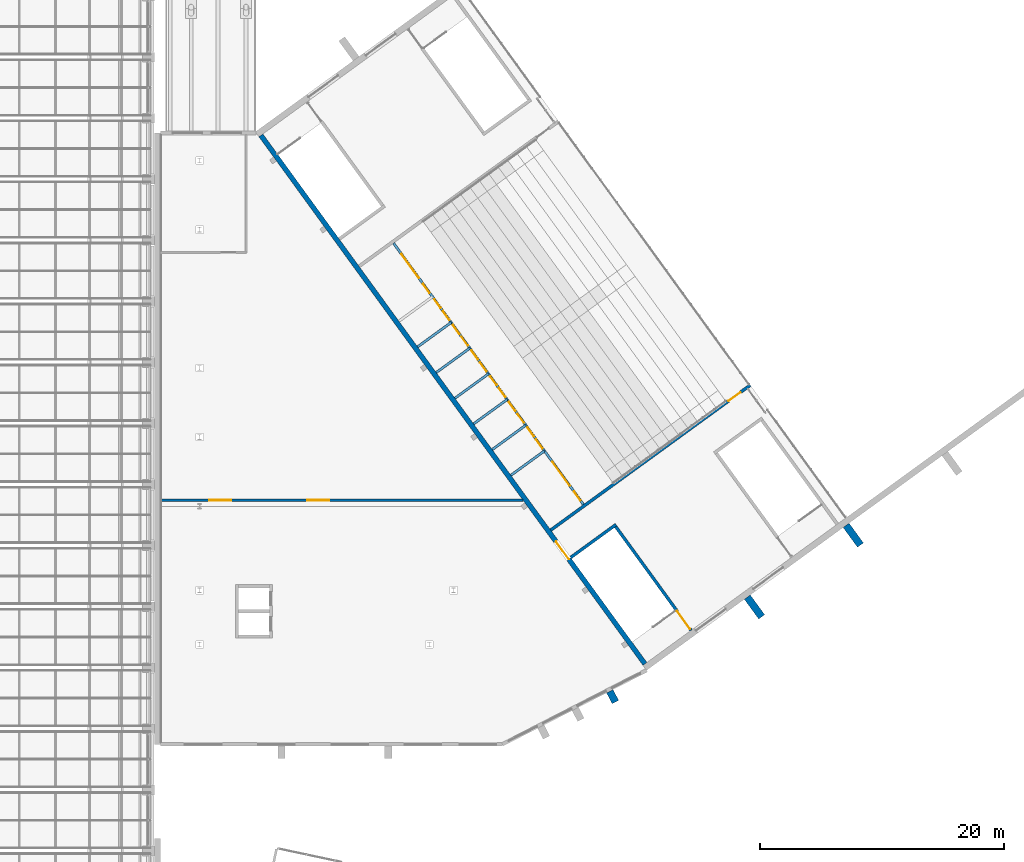
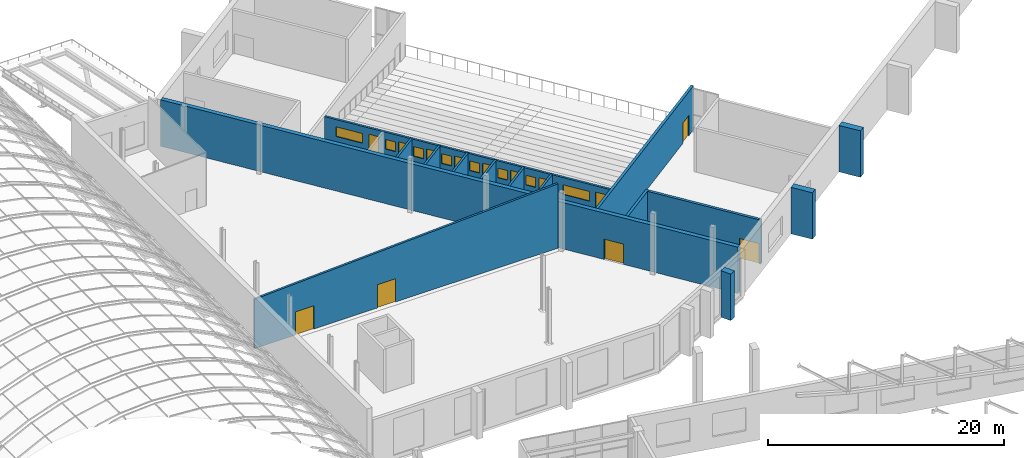
# One storey, part 143 of 182: 15 walls, 13 doors, 8 windows, 21 openings.
"""IFC4 building model written with IfcOpenShell, lengths in metres."""

from ifc_helpers import new_model, si_unit, direction, frame, frame_2d, origin, place, context, subcontext, project, spatial, polyline, rectangle, outline, extrude, material, layer, layer_set, type_object, element, fill, save


model = new_model("IFC4")

# Units and contexts
model_context = context("Model", 3, precision=1e-05, world=origin(), true_north=direction((0.0, 1.0)))
body_context = subcontext(model_context, "Body", "Model", "MODEL_VIEW")
ifc_project = project(units=[si_unit("LENGTHUNIT", "METRE"), si_unit("AREAUNIT", "SQUARE_METRE"), si_unit("VOLUMEUNIT", "CUBIC_METRE"), si_unit("PLANEANGLEUNIT", "RADIAN"), si_unit("MASSUNIT", "GRAM", prefix="KILO")], contexts=[model_context])

# Site, building, storey
site_placement = place(None, origin())
site = spatial("IfcSite", under=ifc_project, at=site_placement, CompositionType="ELEMENT")
building_placement = place(site_placement, origin())
building = spatial("IfcBuilding", under=site, at=building_placement, Name="Okhra Congress Centre", CompositionType="ELEMENT")
storey_placement = place(building_placement, frame((0.0, 0.0, 7.199951171875)))
storey = spatial("IfcBuildingStorey", under=building, at=storey_placement, Name="L01", CompositionType="ELEMENT", Elevation=7.199951171875)

# Wall, openings, doors
ifc_material_1 = material(Name="Double gypsum board on steel studs with mineral wool", Category="steel")
ifc_layer_1 = layer(ifc_material_1, 0.199951171875)
ifc_layer_set_1 = layer_set([ifc_layer_1], Name="Acoustic partition 200")
wall_type_1 = type_object("IfcWallType", Name="Acoustic partition 200", PredefinedType="PARTITIONING", material=ifc_layer_set_1)
wall_1_placement = place(storey_placement, frame((190.0, 169.719970703125, 0.0), z_axis=(0.0, 0.0, 1.0), x_axis=(1.0, 0.0, 0.0)))
wall_1 = element("IfcWall", 1, at=wall_1_placement, inside=storey, type_object=wall_type_1, Name="Delegates' lounge partition", PredefinedType="PARTITIONING", context=body_context, shape_type="SweptSolid", body=[
    extrude(outline(polyline([(0.0, 0.0), (29.67431640625, 0.0), (29.67431640625, 6.6533203125), (0.0, 5.09814453125), (0.0, 0.0)])), frame((0.0, 0.10009765625, 0.0), z_axis=(0.0, -1.0, 0.0), x_axis=(1.0, 0.0, 0.0)), (0.0, 0.0, 1.0), 0.199951171875),
])
opening_1_placement = place(wall_1_placement, frame((4.0, 0.0, 0.0)))
opening_1 = element("IfcOpeningElement", 2, at=opening_1_placement, cuts=wall_1, Name="Opening L01-084", PredefinedType="OPENING", context=body_context, shape_type="SweptSolid", body=[
    extrude(rectangle(XDim=1.800048828125, YDim=2.39990234375, at=frame_2d((0.89990234375, 1.199951171875))), frame((0.0, 0.10986328125, 0.0), z_axis=(0.0, -1.0, 0.0), x_axis=(1.0, 0.0, 0.0)), (0.0, 0.0, 1.0), 0.219970703125),
])
opening_2_placement = place(wall_1_placement, frame((12.0, 0.0, 0.0)))
opening_2 = element("IfcOpeningElement", 3, at=opening_2_placement, cuts=wall_1, Name="Opening L01-085", PredefinedType="OPENING", context=body_context, shape_type="SweptSolid", body=[
    extrude(rectangle(XDim=1.800048828125, YDim=2.39990234375, at=frame_2d((0.89990234375, 1.199951171875))), frame((0.0, 0.10986328125, 0.0), z_axis=(0.0, -1.0, 0.0), x_axis=(1.0, 0.0, 0.0)), (0.0, 0.0, 1.0), 0.219970703125),
])
ifc_material_2 = material(Name="Aluminium-framed toughened glass door leaves", Category="aluminium")
door_type_1 = type_object("IfcDoorType", Name="Aluminium glazed door pair 1800x2400", OperationType="NOTDEFINED", PredefinedType="DOOR", material=ifc_material_2)
door_1_placement = place(opening_1_placement, origin())
door_1 = element("IfcDoor", 4, at=door_1_placement, inside=storey, type_object=door_type_1, Name="Door L01-084", OperationType="DOUBLE_DOOR_SINGLE_SWING", OverallHeight=2.39990234375, OverallWidth=1.800048828125, PredefinedType="DOOR", context=body_context, shape_type="SweptSolid", body=[
    extrude(rectangle(XDim=1.800048828125, YDim=2.39990234375, at=frame_2d((0.89990234375, 1.199951171875))), frame((0.0, 0.02490234375, 0.0), z_axis=(0.0, -1.0, 0.0), x_axis=(1.0, 0.0, 0.0)), (0.0, 0.0, 1.0), 0.050048828125),
])
fill(opening_1, door_1)
door_2_placement = place(opening_2_placement, origin())
door_2 = element("IfcDoor", 5, at=door_2_placement, inside=storey, type_object=door_type_1, Name="Door L01-085", OperationType="DOUBLE_DOOR_SINGLE_SWING", OverallHeight=2.39990234375, OverallWidth=1.800048828125, PredefinedType="DOOR", context=body_context, shape_type="SweptSolid", body=[
    extrude(rectangle(XDim=1.800048828125, YDim=2.39990234375, at=frame_2d((0.89990234375, 1.199951171875))), frame((0.0, 0.02490234375, 0.0), z_axis=(0.0, -1.0, 0.0), x_axis=(1.0, 0.0, 0.0)), (0.0, 0.0, 1.0), 0.050048828125),
])
fill(opening_2, door_2)

# Walls
ifc_material_3 = material(Name="Concrete C35/45", Category="concrete")
ifc_layer_2 = layer(ifc_material_3, 0.60009765625)
ifc_layer_set_2 = layer_set([ifc_layer_2], Name="Buttress fin 600 R 120 C35/45")
wall_type_2 = type_object("IfcWallType", Name="Buttress fin 600 R 120 C35/45", PredefinedType="SOLIDWALL", material=ifc_layer_set_2)
for number, where, z_axis, x_axis, name in (
    (6, (238.047607421875, 161.784423828125, 0.0), (0.0, 0.0, 1.0), (0.587801445368, -0.80900522917, 0.0), "Buttress fin S -20 L01"),
    (7, (246.1376953125, 167.662353515625, 0.0), (0.0, 0.0, 1.0), (0.587743397701, -0.809047401861, 0.0), "Buttress fin S -10 L01"),
):
    element("IfcWall", number, at=place(storey_placement, frame(where, z_axis=z_axis, x_axis=x_axis)), inside=storey, type_object=wall_type_2, Name=name, PredefinedType="SOLIDWALL", context=body_context, shape_type="SweptSolid", body=[
        extrude(rectangle(XDim=2.0, YDim=0.60009765625, at=frame_2d((1.0, 0.0))), origin(), (0.0, 0.0, 1.0), 4.800048828125),
    ])
ifc_layer_3 = layer(ifc_material_3, 0.60009765625)
ifc_layer_set_3 = layer_set([ifc_layer_3], Name="Foyer wall fin 600 R 120 C35/45")
wall_type_3 = type_object("IfcWallType", Name="Foyer wall fin 600 R 120 C35/45", PredefinedType="SOLIDWALL", material=ifc_layer_set_3)
wall_2_placement = place(storey_placement, frame((226.7880859375, 154.075439453125, 0.0), z_axis=(0.0, 0.0, 1.0), x_axis=(0.456856907231, -0.889540199381, 0.0)))
element("IfcWall", 8, at=wall_2_placement, inside=storey, type_object=wall_type_3, Name="Prow wall fin 5 L01", PredefinedType="SOLIDWALL", context=body_context, shape_type="SweptSolid", body=[
    extrude(rectangle(XDim=0.999755859375, YDim=0.60009765625, at=frame_2d((0.5, 0.0))), origin(), (0.0, 0.0, 1.0), 4.800048828125),
])

# Wall, opening, door
ifc_layer_4 = layer(ifc_material_3, 0.25)
ifc_layer_set_4 = layer_set([ifc_layer_4], Name="RC stair cell wall 250 REI 120 C35/45")
wall_type_4 = type_object("IfcWallType", Name="RC stair cell wall 250 REI 120 C35/45", PredefinedType="SOLIDWALL", material=ifc_layer_set_4)
wall_3_placement = place(storey_placement, frame((233.44580078125, 159.05908203125, 0.0), z_axis=(0.0, 0.0, 1.0), x_axis=(-0.587801633775, 0.809005092278, 0.0)))
wall_3 = element("IfcWall", 9, at=wall_3_placement, inside=storey, type_object=wall_type_4, Name="Escape stair 1 wall W L01", PredefinedType="SOLIDWALL", context=body_context, shape_type="SweptSolid", body=[
    extrude(rectangle(XDim=10.75, YDim=0.25, at=frame_2d((5.375, 0.0))), origin(), (0.0, 0.0, 1.0), 4.550048828125),
])
opening_3_placement = place(wall_3_placement, frame((0.14990234375, 0.0, 0.0)))
opening_3 = element("IfcOpeningElement", 10, at=opening_3_placement, cuts=wall_3, Name="Opening L01-077", PredefinedType="OPENING", context=body_context, shape_type="SweptSolid", body=[
    extrude(rectangle(XDim=1.800048828125, YDim=2.10009765625, at=frame_2d((0.89990234375, 1.050048828125))), frame((0.0, 0.135009765625, 0.0), z_axis=(0.0, -1.0, 0.0), x_axis=(1.0, 0.0, 0.0)), (0.0, 0.0, 1.0), 0.27001953125),
])
ifc_material_4 = material(Name="Steel fire door leaves in steel frame, intumescent seals", Category="steel")
door_type_2 = type_object("IfcDoorType", Name="Steel fire door pair 1800x2100 EI 30", OperationType="NOTDEFINED", PredefinedType="DOOR", material=ifc_material_4)
door_3_placement = place(opening_3_placement, frame((1.800048828125, 0.0, 0.0), z_axis=(0.0, 0.0, 1.0), x_axis=(-1.0, 0.0, 0.0)))
door_3 = element("IfcDoor", 11, at=door_3_placement, inside=storey, type_object=door_type_2, Name="Door L01-077", OperationType="DOUBLE_DOOR_SINGLE_SWING", OverallHeight=2.10009765625, OverallWidth=1.800048828125, PredefinedType="DOOR", context=body_context, shape_type="SweptSolid", body=[
    extrude(rectangle(XDim=1.800048828125, YDim=2.10009765625, at=frame_2d((0.89990234375, 1.050048828125))), frame((0.0, 0.02490234375, 0.0), z_axis=(0.0, -1.0, 0.0), x_axis=(1.0, 0.0, 0.0)), (0.0, 0.0, 1.0), 0.050048828125),
])
fill(opening_3, door_3)

# Wall
wall_4_placement = place(storey_placement, frame((223.580078125, 165.0244140625, 0.0), z_axis=(0.0, 0.0, 1.0), x_axis=(0.809009113768, 0.587796098864, 0.0)))
element("IfcWall", 12, at=wall_4_placement, inside=storey, type_object=wall_type_4, Name="Escape stair 1 wall F L01", PredefinedType="SOLIDWALL", context=body_context, shape_type="SweptSolid", body=[
    extrude(rectangle(XDim=4.60009765625, YDim=0.25, at=frame_2d((2.300048828125, 0.0))), origin(), (0.0, 0.0, 1.0), 4.550048828125),
])

# Wall, openings, windows, doors
ifc_material_5 = material(Name="Concrete C30/37", Category="concrete")
ifc_layer_5 = layer(ifc_material_5, 0.199951171875)
ifc_layer_set_5 = layer_set([ifc_layer_5], Name="RC wall 200 REI 120 C30/37")
wall_type_5 = type_object("IfcWallType", Name="RC wall 200 REI 120 C30/37", PredefinedType="SOLIDWALL", material=ifc_layer_set_5)
wall_5_placement = place(storey_placement, frame((224.626220703125, 169.369140625, 1.800048828125), z_axis=(0.0, 0.0, 1.0), x_axis=(-0.587785255346, 0.809016992157, 0.0)))
wall_5 = element("IfcWall", 13, at=wall_5_placement, inside=storey, type_object=wall_type_5, Name="Booth front wall", PredefinedType="SOLIDWALL", context=body_context, shape_type="SweptSolid", body=[
    extrude(rectangle(XDim=26.449951171875, YDim=0.199951171875, at=frame_2d((13.22509765625, 0.0))), origin(), (0.0, 0.0, 1.0), 2.75),
])
opening_4_placement = place(wall_5_placement, frame((0.39990234375, 0.0, 0.0)))
opening_4 = element("IfcOpeningElement", 14, at=opening_4_placement, cuts=wall_5, Name="Opening L01-087", PredefinedType="OPENING", context=body_context, shape_type="SweptSolid", body=[
    extrude(rectangle(XDim=0.89990234375, YDim=2.10009765625, at=frame_2d((0.449951171875, 1.050048828125))), frame((0.0, 0.10986328125, 0.0), z_axis=(0.0, -1.0, 0.0), x_axis=(1.0, 0.0, 0.0)), (0.0, 0.0, 1.0), 0.219970703125),
])
opening_5_placement = place(wall_5_placement, frame((1.89990234375, 0.0, 1.0)))
opening_5 = element("IfcOpeningElement", 15, at=opening_5_placement, cuts=wall_5, Name="Opening WN33", PredefinedType="OPENING", context=body_context, shape_type="SweptSolid", body=[
    extrude(rectangle(XDim=2.425048828125, YDim=1.0, at=frame_2d((1.21240234375, 0.5))), frame((0.0, 0.10986328125, 0.0), z_axis=(0.0, -1.0, 0.0), x_axis=(1.0, 0.0, 0.0)), (0.0, 0.0, 1.0), 0.219970703125),
])
opening_6_placement = place(wall_5_placement, frame((5.675048828125, 0.0, 0.0)))
opening_6 = element("IfcOpeningElement", 16, at=opening_6_placement, cuts=wall_5, Name="Opening L01-088", PredefinedType="OPENING", context=body_context, shape_type="SweptSolid", body=[
    extrude(rectangle(XDim=0.89990234375, YDim=2.10009765625, at=frame_2d((0.449951171875, 1.050048828125))), frame((0.0, 0.10986328125, 0.0), z_axis=(0.0, -1.0, 0.0), x_axis=(1.0, 0.0, 0.0)), (0.0, 0.0, 1.0), 0.219970703125),
])
opening_7_placement = place(wall_5_placement, frame((6.875, 0.0, 1.0)))
opening_7 = element("IfcOpeningElement", 17, at=opening_7_placement, cuts=wall_5, Name="Opening WN34", PredefinedType="OPENING", context=body_context, shape_type="SweptSolid", body=[
    extrude(rectangle(XDim=0.89990234375, YDim=1.0, at=frame_2d((0.449951171875, 0.5))), frame((0.0, 0.10986328125, 0.0), z_axis=(0.0, -1.0, 0.0), x_axis=(1.0, 0.0, 0.0)), (0.0, 0.0, 1.0), 0.219970703125),
])
opening_8_placement = place(wall_5_placement, frame((8.27490234375, 0.0, 0.0)))
opening_8 = element("IfcOpeningElement", 18, at=opening_8_placement, cuts=wall_5, Name="Opening L01-089", PredefinedType="OPENING", context=body_context, shape_type="SweptSolid", body=[
    extrude(rectangle(XDim=0.89990234375, YDim=2.10009765625, at=frame_2d((0.449951171875, 1.050048828125))), frame((0.0, 0.10986328125, 0.0), z_axis=(0.0, -1.0, 0.0), x_axis=(1.0, 0.0, 0.0)), (0.0, 0.0, 1.0), 0.219970703125),
])
opening_9_placement = place(wall_5_placement, frame((9.47509765625, 0.0, 1.0)))
opening_9 = element("IfcOpeningElement", 19, at=opening_9_placement, cuts=wall_5, Name="Opening WN34", PredefinedType="OPENING", context=body_context, shape_type="SweptSolid", body=[
    extrude(rectangle(XDim=0.89990234375, YDim=1.0, at=frame_2d((0.449951171875, 0.5))), frame((0.0, 0.10986328125, 0.0), z_axis=(0.0, -1.0, 0.0), x_axis=(1.0, 0.0, 0.0)), (0.0, 0.0, 1.0), 0.219970703125),
])
opening_10_placement = place(wall_5_placement, frame((10.875, 0.0, 0.0)))
opening_10 = element("IfcOpeningElement", 20, at=opening_10_placement, cuts=wall_5, Name="Opening L01-090", PredefinedType="OPENING", context=body_context, shape_type="SweptSolid", body=[
    extrude(rectangle(XDim=0.89990234375, YDim=2.10009765625, at=frame_2d((0.449951171875, 1.050048828125))), frame((0.0, 0.10986328125, 0.0), z_axis=(0.0, -1.0, 0.0), x_axis=(1.0, 0.0, 0.0)), (0.0, 0.0, 1.0), 0.219970703125),
])
opening_11_placement = place(wall_5_placement, frame((12.074951171875, 0.0, 1.0)))
opening_11 = element("IfcOpeningElement", 21, at=opening_11_placement, cuts=wall_5, Name="Opening WN34", PredefinedType="OPENING", context=body_context, shape_type="SweptSolid", body=[
    extrude(rectangle(XDim=0.89990234375, YDim=1.0, at=frame_2d((0.449951171875, 0.5))), frame((0.0, 0.10986328125, 0.0), z_axis=(0.0, -1.0, 0.0), x_axis=(1.0, 0.0, 0.0)), (0.0, 0.0, 1.0), 0.219970703125),
])
opening_12_placement = place(wall_5_placement, frame((13.47509765625, 0.0, 0.0)))
opening_12 = element("IfcOpeningElement", 22, at=opening_12_placement, cuts=wall_5, Name="Opening L01-091", PredefinedType="OPENING", context=body_context, shape_type="SweptSolid", body=[
    extrude(rectangle(XDim=0.89990234375, YDim=2.10009765625, at=frame_2d((0.449951171875, 1.050048828125))), frame((0.0, 0.10986328125, 0.0), z_axis=(0.0, -1.0, 0.0), x_axis=(1.0, 0.0, 0.0)), (0.0, 0.0, 1.0), 0.219970703125),
])
opening_13_placement = place(wall_5_placement, frame((14.675048828125, 0.0, 1.0)))
opening_13 = element("IfcOpeningElement", 23, at=opening_13_placement, cuts=wall_5, Name="Opening WN34", PredefinedType="OPENING", context=body_context, shape_type="SweptSolid", body=[
    extrude(rectangle(XDim=0.89990234375, YDim=1.0, at=frame_2d((0.449951171875, 0.5))), frame((0.0, 0.10986328125, 0.0), z_axis=(0.0, -1.0, 0.0), x_axis=(1.0, 0.0, 0.0)), (0.0, 0.0, 1.0), 0.219970703125),
])
opening_14_placement = place(wall_5_placement, frame((16.074951171875, 0.0, 0.0)))
opening_14 = element("IfcOpeningElement", 24, at=opening_14_placement, cuts=wall_5, Name="Opening L01-092", PredefinedType="OPENING", context=body_context, shape_type="SweptSolid", body=[
    extrude(rectangle(XDim=0.89990234375, YDim=2.10009765625, at=frame_2d((0.449951171875, 1.050048828125))), frame((0.0, 0.10986328125, 0.0), z_axis=(0.0, -1.0, 0.0), x_axis=(1.0, 0.0, 0.0)), (0.0, 0.0, 1.0), 0.219970703125),
])
opening_15_placement = place(wall_5_placement, frame((17.27490234375, 0.0, 1.0)))
opening_15 = element("IfcOpeningElement", 25, at=opening_15_placement, cuts=wall_5, Name="Opening WN34", PredefinedType="OPENING", context=body_context, shape_type="SweptSolid", body=[
    extrude(rectangle(XDim=0.89990234375, YDim=1.0, at=frame_2d((0.449951171875, 0.5))), frame((0.0, 0.10986328125, 0.0), z_axis=(0.0, -1.0, 0.0), x_axis=(1.0, 0.0, 0.0)), (0.0, 0.0, 1.0), 0.219970703125),
])
opening_16_placement = place(wall_5_placement, frame((18.675048828125, 0.0, 0.0)))
opening_16 = element("IfcOpeningElement", 26, at=opening_16_placement, cuts=wall_5, Name="Opening L01-093", PredefinedType="OPENING", context=body_context, shape_type="SweptSolid", body=[
    extrude(rectangle(XDim=0.89990234375, YDim=2.10009765625, at=frame_2d((0.449951171875, 1.050048828125))), frame((0.0, 0.10986328125, 0.0), z_axis=(0.0, -1.0, 0.0), x_axis=(1.0, 0.0, 0.0)), (0.0, 0.0, 1.0), 0.219970703125),
])
opening_17_placement = place(wall_5_placement, frame((19.875, 0.0, 1.0)))
opening_17 = element("IfcOpeningElement", 27, at=opening_17_placement, cuts=wall_5, Name="Opening WN34", PredefinedType="OPENING", context=body_context, shape_type="SweptSolid", body=[
    extrude(rectangle(XDim=0.89990234375, YDim=1.0, at=frame_2d((0.449951171875, 0.5))), frame((0.0, 0.10986328125, 0.0), z_axis=(0.0, -1.0, 0.0), x_axis=(1.0, 0.0, 0.0)), (0.0, 0.0, 1.0), 0.219970703125),
])
opening_18_placement = place(wall_5_placement, frame((21.425048828125, 0.0, 0.0)))
opening_18 = element("IfcOpeningElement", 28, at=opening_18_placement, cuts=wall_5, Name="Opening L01-094", PredefinedType="OPENING", context=body_context, shape_type="SweptSolid", body=[
    extrude(rectangle(XDim=0.89990234375, YDim=2.10009765625, at=frame_2d((0.449951171875, 1.050048828125))), frame((0.0, 0.10986328125, 0.0), z_axis=(0.0, -1.0, 0.0), x_axis=(1.0, 0.0, 0.0)), (0.0, 0.0, 1.0), 0.219970703125),
])
opening_19_placement = place(wall_5_placement, frame((22.925048828125, 0.0, 1.0)))
opening_19 = element("IfcOpeningElement", 29, at=opening_19_placement, cuts=wall_5, Name="Opening WN33", PredefinedType="OPENING", context=body_context, shape_type="SweptSolid", body=[
    extrude(rectangle(XDim=2.425048828125, YDim=1.0, at=frame_2d((1.21240234375, 0.5))), frame((0.0, 0.10986328125, 0.0), z_axis=(0.0, -1.0, 0.0), x_axis=(1.0, 0.0, 0.0)), (0.0, 0.0, 1.0), 0.219970703125),
])
ifc_material_6 = material(Name="Thermally broken aluminium frame, triple glazing", Category="aluminium")
window_type_1 = type_object("IfcWindowType", Name="Fixed window 2425x1000", PartitioningType="SINGLE_PANEL", PredefinedType="WINDOW", material=ifc_material_6)
window_1_placement = place(opening_5_placement, origin())
window_1 = element("IfcWindow", 30, at=window_1_placement, inside=storey, type_object=window_type_1, Name="PH.WIN.L01.16", OverallHeight=1.0, OverallWidth=2.425048828125, PartitioningType="SINGLE_PANEL", PredefinedType="WINDOW", context=body_context, shape_type="SweptSolid", body=[
    extrude(rectangle(XDim=2.425048828125, YDim=1.0, at=frame_2d((1.21240234375, 0.5))), frame((0.0, 0.030029296875, 0.0), z_axis=(0.0, -1.0, 0.0), x_axis=(1.0, 0.0, 0.0)), (0.0, 0.0, 1.0), 0.06005859375),
])
fill(opening_5, window_1)
window_2_placement = place(opening_19_placement, origin())
window_2 = element("IfcWindow", 31, at=window_2_placement, inside=storey, type_object=window_type_1, Name="PH.WIN.L01.23", OverallHeight=1.0, OverallWidth=2.425048828125, PartitioningType="SINGLE_PANEL", PredefinedType="WINDOW", context=body_context, shape_type="SweptSolid", body=[
    extrude(rectangle(XDim=2.425048828125, YDim=1.0, at=frame_2d((1.21240234375, 0.5))), frame((0.0, 0.030029296875, 0.0), z_axis=(0.0, -1.0, 0.0), x_axis=(1.0, 0.0, 0.0)), (0.0, 0.0, 1.0), 0.06005859375),
])
fill(opening_19, window_2)
window_type_2 = type_object("IfcWindowType", Name="Fixed window 900x1000", PartitioningType="SINGLE_PANEL", PredefinedType="WINDOW", material=ifc_material_6)
window_3_placement = place(opening_7_placement, origin())
window_3 = element("IfcWindow", 32, at=window_3_placement, inside=storey, type_object=window_type_2, Name="PH.WIN.L01.17", OverallHeight=1.0, OverallWidth=0.89990234375, PartitioningType="SINGLE_PANEL", PredefinedType="WINDOW", context=body_context, shape_type="SweptSolid", body=[
    extrude(rectangle(XDim=0.89990234375, YDim=1.0, at=frame_2d((0.449951171875, 0.5))), frame((0.0, 0.030029296875, 0.0), z_axis=(0.0, -1.0, 0.0), x_axis=(1.0, 0.0, 0.0)), (0.0, 0.0, 1.0), 0.06005859375),
])
fill(opening_7, window_3)
window_4_placement = place(opening_9_placement, origin())
window_4 = element("IfcWindow", 33, at=window_4_placement, inside=storey, type_object=window_type_2, Name="PH.WIN.L01.18", OverallHeight=1.0, OverallWidth=0.89990234375, PartitioningType="SINGLE_PANEL", PredefinedType="WINDOW", context=body_context, shape_type="SweptSolid", body=[
    extrude(rectangle(XDim=0.89990234375, YDim=1.0, at=frame_2d((0.449951171875, 0.5))), frame((0.0, 0.030029296875, 0.0), z_axis=(0.0, -1.0, 0.0), x_axis=(1.0, 0.0, 0.0)), (0.0, 0.0, 1.0), 0.06005859375),
])
fill(opening_9, window_4)
window_5_placement = place(opening_11_placement, origin())
window_5 = element("IfcWindow", 34, at=window_5_placement, inside=storey, type_object=window_type_2, Name="PH.WIN.L01.19", OverallHeight=1.0, OverallWidth=0.89990234375, PartitioningType="SINGLE_PANEL", PredefinedType="WINDOW", context=body_context, shape_type="SweptSolid", body=[
    extrude(rectangle(XDim=0.89990234375, YDim=1.0, at=frame_2d((0.449951171875, 0.5))), frame((0.0, 0.030029296875, 0.0), z_axis=(0.0, -1.0, 0.0), x_axis=(1.0, 0.0, 0.0)), (0.0, 0.0, 1.0), 0.06005859375),
])
fill(opening_11, window_5)
window_6_placement = place(opening_13_placement, origin())
window_6 = element("IfcWindow", 35, at=window_6_placement, inside=storey, type_object=window_type_2, Name="PH.WIN.L01.20", OverallHeight=1.0, OverallWidth=0.89990234375, PartitioningType="SINGLE_PANEL", PredefinedType="WINDOW", context=body_context, shape_type="SweptSolid", body=[
    extrude(rectangle(XDim=0.89990234375, YDim=1.0, at=frame_2d((0.449951171875, 0.5))), frame((0.0, 0.030029296875, 0.0), z_axis=(0.0, -1.0, 0.0), x_axis=(1.0, 0.0, 0.0)), (0.0, 0.0, 1.0), 0.06005859375),
])
fill(opening_13, window_6)
window_7_placement = place(opening_15_placement, origin())
window_7 = element("IfcWindow", 36, at=window_7_placement, inside=storey, type_object=window_type_2, Name="PH.WIN.L01.21", OverallHeight=1.0, OverallWidth=0.89990234375, PartitioningType="SINGLE_PANEL", PredefinedType="WINDOW", context=body_context, shape_type="SweptSolid", body=[
    extrude(rectangle(XDim=0.89990234375, YDim=1.0, at=frame_2d((0.449951171875, 0.5))), frame((0.0, 0.030029296875, 0.0), z_axis=(0.0, -1.0, 0.0), x_axis=(1.0, 0.0, 0.0)), (0.0, 0.0, 1.0), 0.06005859375),
])
fill(opening_15, window_7)
window_8_placement = place(opening_17_placement, origin())
window_8 = element("IfcWindow", 37, at=window_8_placement, inside=storey, type_object=window_type_2, Name="PH.WIN.L01.22", OverallHeight=1.0, OverallWidth=0.89990234375, PartitioningType="SINGLE_PANEL", PredefinedType="WINDOW", context=body_context, shape_type="SweptSolid", body=[
    extrude(rectangle(XDim=0.89990234375, YDim=1.0, at=frame_2d((0.449951171875, 0.5))), frame((0.0, 0.030029296875, 0.0), z_axis=(0.0, -1.0, 0.0), x_axis=(1.0, 0.0, 0.0)), (0.0, 0.0, 1.0), 0.06005859375),
])
fill(opening_17, window_8)
ifc_material_7 = material(Name="Timber door leaf in steel frame", Category="steel")
door_type_3 = type_object("IfcDoorType", Name="Single swing door 900x2100", OperationType="NOTDEFINED", PredefinedType="DOOR", material=ifc_material_7)
door_4_placement = place(opening_4_placement, frame((0.89990234375, 0.0, 0.0), z_axis=(0.0, 0.0, 1.0), x_axis=(-1.0, 0.0, 0.0)))
door_4 = element("IfcDoor", 38, at=door_4_placement, inside=storey, type_object=door_type_3, Name="Door L01-087", OperationType="SINGLE_SWING_RIGHT", OverallHeight=2.10009765625, OverallWidth=0.89990234375, PredefinedType="DOOR", context=body_context, shape_type="SweptSolid", body=[
    extrude(rectangle(XDim=0.89990234375, YDim=2.10009765625, at=frame_2d((0.449951171875, 1.050048828125))), frame((0.0, 0.02490234375, 0.0), z_axis=(0.0, -1.0, 0.0), x_axis=(1.0, 0.0, 0.0)), (0.0, 0.0, 1.0), 0.050048828125),
])
fill(opening_4, door_4)
door_5_placement = place(opening_6_placement, frame((0.89990234375, 0.0, 0.0), z_axis=(0.0, 0.0, 1.0), x_axis=(-1.0, 0.0, 0.0)))
door_5 = element("IfcDoor", 39, at=door_5_placement, inside=storey, type_object=door_type_3, Name="Door L01-088", OperationType="SINGLE_SWING_RIGHT", OverallHeight=2.10009765625, OverallWidth=0.89990234375, PredefinedType="DOOR", context=body_context, shape_type="SweptSolid", body=[
    extrude(rectangle(XDim=0.89990234375, YDim=2.10009765625, at=frame_2d((0.449951171875, 1.050048828125))), frame((0.0, 0.02490234375, 0.0), z_axis=(0.0, -1.0, 0.0), x_axis=(1.0, 0.0, 0.0)), (0.0, 0.0, 1.0), 0.050048828125),
])
fill(opening_6, door_5)
door_6_placement = place(opening_8_placement, frame((0.89990234375, 0.0, 0.0), z_axis=(0.0, 0.0, 1.0), x_axis=(-1.0, 0.0, 0.0)))
door_6 = element("IfcDoor", 40, at=door_6_placement, inside=storey, type_object=door_type_3, Name="Door L01-089", OperationType="SINGLE_SWING_RIGHT", OverallHeight=2.10009765625, OverallWidth=0.89990234375, PredefinedType="DOOR", context=body_context, shape_type="SweptSolid", body=[
    extrude(rectangle(XDim=0.89990234375, YDim=2.10009765625, at=frame_2d((0.449951171875, 1.050048828125))), frame((0.0, 0.02490234375, 0.0), z_axis=(0.0, -1.0, 0.0), x_axis=(1.0, 0.0, 0.0)), (0.0, 0.0, 1.0), 0.050048828125),
])
fill(opening_8, door_6)
door_7_placement = place(opening_10_placement, frame((0.89990234375, 0.0, 0.0), z_axis=(0.0, 0.0, 1.0), x_axis=(-1.0, 0.0, 0.0)))
door_7 = element("IfcDoor", 41, at=door_7_placement, inside=storey, type_object=door_type_3, Name="Door L01-090", OperationType="SINGLE_SWING_RIGHT", OverallHeight=2.10009765625, OverallWidth=0.89990234375, PredefinedType="DOOR", context=body_context, shape_type="SweptSolid", body=[
    extrude(rectangle(XDim=0.89990234375, YDim=2.10009765625, at=frame_2d((0.449951171875, 1.050048828125))), frame((0.0, 0.02490234375, 0.0), z_axis=(0.0, -1.0, 0.0), x_axis=(1.0, 0.0, 0.0)), (0.0, 0.0, 1.0), 0.050048828125),
])
fill(opening_10, door_7)
door_8_placement = place(opening_12_placement, frame((0.89990234375, 0.0, 0.0), z_axis=(0.0, 0.0, 1.0), x_axis=(-1.0, 0.0, 0.0)))
door_8 = element("IfcDoor", 42, at=door_8_placement, inside=storey, type_object=door_type_3, Name="Door L01-091", OperationType="SINGLE_SWING_RIGHT", OverallHeight=2.10009765625, OverallWidth=0.89990234375, PredefinedType="DOOR", context=body_context, shape_type="SweptSolid", body=[
    extrude(rectangle(XDim=0.89990234375, YDim=2.10009765625, at=frame_2d((0.449951171875, 1.050048828125))), frame((0.0, 0.02490234375, 0.0), z_axis=(0.0, -1.0, 0.0), x_axis=(1.0, 0.0, 0.0)), (0.0, 0.0, 1.0), 0.050048828125),
])
fill(opening_12, door_8)
door_9_placement = place(opening_14_placement, frame((0.89990234375, 0.0, 0.0), z_axis=(0.0, 0.0, 1.0), x_axis=(-1.0, 0.0, 0.0)))
door_9 = element("IfcDoor", 43, at=door_9_placement, inside=storey, type_object=door_type_3, Name="Door L01-092", OperationType="SINGLE_SWING_RIGHT", OverallHeight=2.10009765625, OverallWidth=0.89990234375, PredefinedType="DOOR", context=body_context, shape_type="SweptSolid", body=[
    extrude(rectangle(XDim=0.89990234375, YDim=2.10009765625, at=frame_2d((0.449951171875, 1.050048828125))), frame((0.0, 0.02490234375, 0.0), z_axis=(0.0, -1.0, 0.0), x_axis=(1.0, 0.0, 0.0)), (0.0, 0.0, 1.0), 0.050048828125),
])
fill(opening_14, door_9)
door_10_placement = place(opening_16_placement, frame((0.89990234375, 0.0, 0.0), z_axis=(0.0, 0.0, 1.0), x_axis=(-1.0, 0.0, 0.0)))
door_10 = element("IfcDoor", 44, at=door_10_placement, inside=storey, type_object=door_type_3, Name="Door L01-093", OperationType="SINGLE_SWING_RIGHT", OverallHeight=2.10009765625, OverallWidth=0.89990234375, PredefinedType="DOOR", context=body_context, shape_type="SweptSolid", body=[
    extrude(rectangle(XDim=0.89990234375, YDim=2.10009765625, at=frame_2d((0.449951171875, 1.050048828125))), frame((0.0, 0.02490234375, 0.0), z_axis=(0.0, -1.0, 0.0), x_axis=(1.0, 0.0, 0.0)), (0.0, 0.0, 1.0), 0.050048828125),
])
fill(opening_16, door_10)
door_11_placement = place(opening_18_placement, frame((0.89990234375, 0.0, 0.0), z_axis=(0.0, 0.0, 1.0), x_axis=(-1.0, 0.0, 0.0)))
door_11 = element("IfcDoor", 45, at=door_11_placement, inside=storey, type_object=door_type_3, Name="Door L01-094", OperationType="SINGLE_SWING_RIGHT", OverallHeight=2.10009765625, OverallWidth=0.89990234375, PredefinedType="DOOR", context=body_context, shape_type="SweptSolid", body=[
    extrude(rectangle(XDim=0.89990234375, YDim=2.10009765625, at=frame_2d((0.449951171875, 1.050048828125))), frame((0.0, 0.02490234375, 0.0), z_axis=(0.0, -1.0, 0.0), x_axis=(1.0, 0.0, 0.0)), (0.0, 0.0, 1.0), 0.050048828125),
])
fill(opening_18, door_11)

# Walls
wall_6_placement = place(storey_placement, frame((218.686767578125, 171.759521484375, 1.800048828125), z_axis=(0.0, 0.0, 1.0), x_axis=(0.80901544635, 0.587787382961, 0.0)))
element("IfcWall", 46, at=wall_6_placement, inside=storey, type_object=wall_type_5, Name="Booth dividing wall 1", PredefinedType="SOLIDWALL", context=body_context, shape_type="SweptSolid", body=[
    extrude(rectangle(XDim=3.400146484375, YDim=0.199951171875, at=frame_2d((1.7001953125, 0.0))), origin(), (0.0, 0.0, 1.0), 2.75),
])
for number, where, z_axis, x_axis, name in (
    (47, (217.15869140625, 173.863037109375, 1.800048828125), (0.0, 0.0, 1.0), (0.808990636343, 0.587821529301, 0.0), "Booth dividing wall 2"),
    (48, (215.63037109375, 175.966552734375, 1.800048828125), (0.0, 0.0, 1.0), (0.809049591306, 0.58774038385, 0.0), "Booth dividing wall 3"),
):
    element("IfcWall", number, at=place(storey_placement, frame(where, z_axis=z_axis, x_axis=x_axis)), inside=storey, type_object=wall_type_5, Name=name, PredefinedType="SOLIDWALL", context=body_context, shape_type="SweptSolid", body=[
        extrude(rectangle(XDim=3.39990234375, YDim=0.199951171875, at=frame_2d((1.699951171875, 0.0))), origin(), (0.0, 0.0, 1.0), 2.75),
    ])
for number, where, z_axis, x_axis, name in (
    (49, (214.10205078125, 178.06982421875, 1.800048828125), (0.0, 0.0, 1.0), (0.80901544635, 0.587787382961, 0.0), "Booth dividing wall 4"),
    (50, (212.57373046875, 180.17333984375, 1.800048828125), (0.0, 0.0, 1.0), (0.80901544635, 0.587787382961, 0.0), "Booth dividing wall 5"),
):
    element("IfcWall", number, at=place(storey_placement, frame(where, z_axis=z_axis, x_axis=x_axis)), inside=storey, type_object=wall_type_5, Name=name, PredefinedType="SOLIDWALL", context=body_context, shape_type="SweptSolid", body=[
        extrude(rectangle(XDim=3.400146484375, YDim=0.199951171875, at=frame_2d((1.7001953125, 0.0))), origin(), (0.0, 0.0, 1.0), 2.75),
    ])
wall_7_placement = place(storey_placement, frame((211.045654296875, 182.27685546875, 1.800048828125), z_axis=(0.0, 0.0, 1.0), x_axis=(0.809049591306, 0.58774038385, 0.0)))
element("IfcWall", 51, at=wall_7_placement, inside=storey, type_object=wall_type_5, Name="Booth dividing wall 6", PredefinedType="SOLIDWALL", context=body_context, shape_type="SweptSolid", body=[
    extrude(rectangle(XDim=3.39990234375, YDim=0.199951171875, at=frame_2d((1.699951171875, 0.0))), origin(), (0.0, 0.0, 1.0), 2.75),
])

# Wall, opening, door
ifc_layer_6 = layer(ifc_material_5, 0.25)
ifc_layer_set_6 = layer_set([ifc_layer_6], Name="RC wall 250 REI 120 C30/37")
wall_type_6 = type_object("IfcWallType", Name="RC wall 250 REI 120 C30/37", PredefinedType="SOLIDWALL", material=ifc_layer_set_6)
wall_8_placement = place(storey_placement, frame((221.948974609375, 167.26953125, 0.0), z_axis=(0.0, 0.0, 1.0), x_axis=(0.809018740047, 0.587782849573, 0.0)))
wall_8 = element("IfcWall", 52, at=wall_8_placement, inside=storey, type_object=wall_type_6, Name="Lounge wall S", PredefinedType="SOLIDWALL", context=body_context, shape_type="SweptSolid", body=[
    extrude(rectangle(XDim=20.2001953125, YDim=0.25, at=frame_2d((10.10009765625, 0.0))), origin(), (0.0, 0.0, 1.0), 4.550048828125),
])
opening_20_placement = place(wall_8_placement, frame((18.0, 0.0, 0.0)))
opening_20 = element("IfcOpeningElement", 53, at=opening_20_placement, cuts=wall_8, Name="Opening L01-095", PredefinedType="OPENING", context=body_context, shape_type="SweptSolid", body=[
    extrude(rectangle(XDim=1.199951171875, YDim=2.10009765625, at=frame_2d((0.60009765625, 1.050048828125))), frame((0.0, 0.135009765625, 0.0), z_axis=(0.0, -1.0, 0.0), x_axis=(1.0, 0.0, 0.0)), (0.0, 0.0, 1.0), 0.27001953125),
])
door_type_4 = type_object("IfcDoorType", Name="Single swing door 1200x2100", OperationType="NOTDEFINED", PredefinedType="DOOR", material=ifc_material_7)
door_12_placement = place(opening_20_placement, origin())
door_12 = element("IfcDoor", 54, at=door_12_placement, inside=storey, type_object=door_type_4, Name="Door L01-095", OperationType="SINGLE_SWING_LEFT", OverallHeight=2.10009765625, OverallWidth=1.199951171875, PredefinedType="DOOR", context=body_context, shape_type="SweptSolid", body=[
    extrude(rectangle(XDim=1.199951171875, YDim=2.10009765625, at=frame_2d((0.60009765625, 1.050048828125))), frame((0.0, 0.02490234375, 0.0), z_axis=(0.0, -1.0, 0.0), x_axis=(1.0, 0.0, 0.0)), (0.0, 0.0, 1.0), 0.050048828125),
])
fill(opening_20, door_12)

ifc_layer_7 = layer(ifc_material_5, 0.39990234375)
ifc_layer_set_7 = layer_set([ifc_layer_7], Name="RC wall 400 REI 120 C30/37")
wall_type_7 = type_object("IfcWallType", Name="RC wall 400 REI 120 C30/37", PredefinedType="SOLIDWALL", material=ifc_layer_set_7)
wall_9_placement = place(storey_placement, frame((229.66357421875, 156.31103515625, 0.0), z_axis=(0.0, 0.0, 1.0), x_axis=(-0.587784977279, 0.809017194184, 0.0)))
wall_9 = element("IfcWall", 55, at=wall_9_placement, inside=storey, type_object=wall_type_7, Name="End wall W L01", PredefinedType="SOLIDWALL", context=body_context, shape_type="SweptSolid", body=[
    extrude(rectangle(XDim=53.5, YDim=0.39990234375, at=frame_2d((26.75, 0.0))), origin(), (0.0, 0.0, 1.0), 4.800048828125),
])
opening_21_placement = place(wall_9_placement, frame((10.60009765625, 0.0, 0.0)))
opening_21 = element("IfcOpeningElement", 56, at=opening_21_placement, cuts=wall_9, Name="Opening L01-083", PredefinedType="OPENING", context=body_context, shape_type="SweptSolid", body=[
    extrude(rectangle(XDim=1.800048828125, YDim=2.10009765625, at=frame_2d((0.89990234375, 1.050048828125))), frame((0.0, 0.2099609375, 0.0), z_axis=(0.0, -1.0, 0.0), x_axis=(1.0, 0.0, 0.0)), (0.0, 0.0, 1.0), 0.419921875),
])
ifc_material_8 = material(Name="Timber door leaves in steel frame", Category="steel")
door_type_5 = type_object("IfcDoorType", Name="Double swing door 1800x2100", OperationType="NOTDEFINED", PredefinedType="DOOR", material=ifc_material_8)
door_13_placement = place(opening_21_placement, origin())
door_13 = element("IfcDoor", 57, at=door_13_placement, inside=storey, type_object=door_type_5, Name="Door L01-083", OperationType="DOUBLE_DOOR_SINGLE_SWING", OverallHeight=2.10009765625, OverallWidth=1.800048828125, PredefinedType="DOOR", context=body_context, shape_type="SweptSolid", body=[
    extrude(rectangle(XDim=1.800048828125, YDim=2.10009765625, at=frame_2d((0.89990234375, 1.050048828125))), frame((0.0, 0.02490234375, 0.0), z_axis=(0.0, -1.0, 0.0), x_axis=(1.0, 0.0, 0.0)), (0.0, 0.0, 1.0), 0.050048828125),
])
fill(opening_21, door_13)

save(model, "model.ifc")
